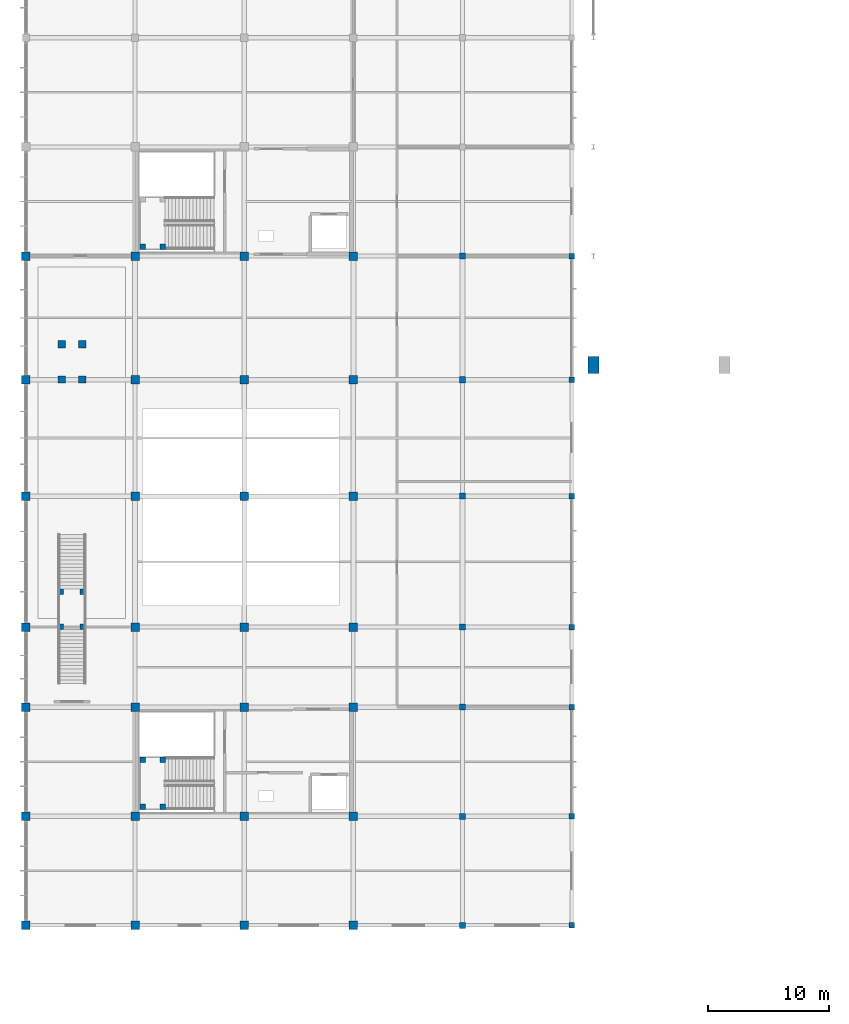
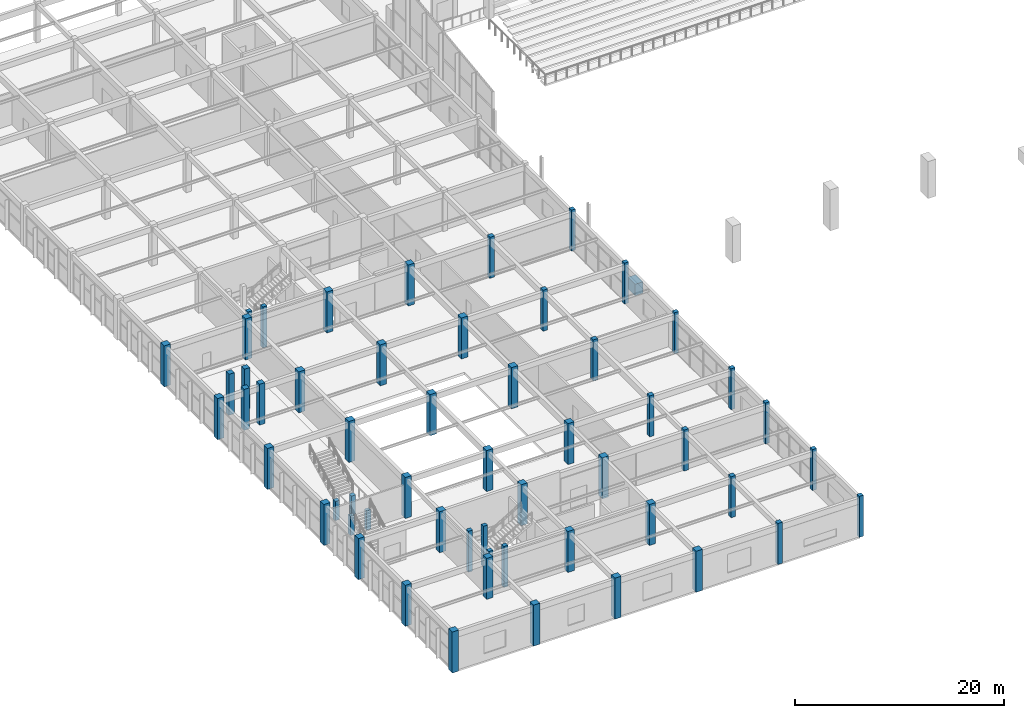
# One storey, part 1 of 74: 57 columns.
"""IFC4 building model written with IfcOpenShell, lengths in metres."""

import ifcopenshell
import ifcopenshell.guid

model = None  # the IFC model being written
_history = None  # IfcOwnerHistory: only IFC2X3 demands one
_inside = {}  # id of a spatial element -> (the spatial element, [elements in it])
_under = {}  # id of a project, library or spatial element -> (it, [spatial elements below it])
_declared = {}  # id of a project -> (the project, [libraries it declares])
_typed = {}  # id of a type object -> (the type object, [elements of that type])
_made_of = {}  # id of a material, layer set ... -> (it, [elements and type objects made of it])


def new_model(schema):
    """Start an empty IFC model of exactly this schema.

    Asked for "IFC4X3", IfcOpenShell would pick the latest addendum, in which some entities
    have other attributes; the version numbers below select the first issue.
    IFC2X3 requires an IfcOwnerHistory on every rooted entity: one is made here for all.
    """
    global model, _history
    if schema == "IFC4X3":
        model = ifcopenshell.file(schema_version=(4, 3, 0, 0))
    else:
        model = ifcopenshell.file(schema=schema)
    _inside.clear()
    _under.clear()
    _declared.clear()
    _typed.clear()
    _made_of.clear()
    _history = None
    if model.schema == "IFC2X3":
        org = make("IfcOrganization", Name="unknown")
        user = make(
            "IfcPersonAndOrganization",
            ThePerson=make("IfcPerson", FamilyName="unknown"),
            TheOrganization=org,
        )
        app = make(
            "IfcApplication",
            ApplicationDeveloper=org,
            Version="unknown",
            ApplicationFullName="unknown",
            ApplicationIdentifier="unknown",
        )
        _history = make(
            "IfcOwnerHistory",
            OwningUser=user,
            OwningApplication=app,
            ChangeAction="ADDED",
            CreationDate=0,
        )
    return model


def make(cls, **values):
    """One entity of the class cls with the attributes given. An attribute that is None is left unset."""
    return model.create_entity(
        cls, **{name: value for name, value in values.items() if value is not None}
    )


def rooted(cls, **values):
    """An entity with a GlobalId (a new one), such as an element, a storey or a relation."""
    return make(cls, GlobalId=ifcopenshell.guid.new(), OwnerHistory=_history, **values)


def si_unit(unit_type, name, prefix=None):
    """IfcSIUnit, for example si_unit("LENGTHUNIT", "METRE", prefix="MILLI")."""
    return make("IfcSIUnit", UnitType=unit_type, Prefix=prefix, Name=name)


def assignment(units):
    """IfcUnitAssignment: the units of a project."""
    return None if units is None else make("IfcUnitAssignment", Units=units)


def point(xyz):
    """IfcCartesianPoint."""
    return None if xyz is None else make("IfcCartesianPoint", Coordinates=xyz)


def direction(xyz):
    """IfcDirection."""
    return None if xyz is None else make("IfcDirection", DirectionRatios=xyz)


def frame(location, z_axis=None, x_axis=None):
    """IfcAxis2Placement3D, a coordinate frame: its origin and axes. An axis left out is left unset."""
    return make(
        "IfcAxis2Placement3D",
        Location=point(location),
        Axis=direction(z_axis),
        RefDirection=direction(x_axis),
    )


def frame_2d(location, x_axis=None):
    """IfcAxis2Placement2D, a coordinate frame in the plane: its origin and x axis."""
    return make(
        "IfcAxis2Placement2D", Location=point(location), RefDirection=direction(x_axis)
    )


def origin():
    """The frame at (0, 0, 0) with its axes left unset."""
    return frame((0.0, 0.0, 0.0))


def origin_2d():
    """The frame at (0, 0) in the plane with its x axis left unset."""
    return frame_2d((0.0, 0.0))


def place(relative_to, where):
    """IfcLocalPlacement: puts the frame where relative to a parent placement (None: the world)."""
    return make(
        "IfcLocalPlacement", PlacementRelTo=relative_to, RelativePlacement=where
    )


def context(
    kind, dimensions, precision=None, world=None, true_north=None, identifier=None
):
    """IfcGeometricRepresentationContext, for example the 3D "Model" context."""
    return make(
        "IfcGeometricRepresentationContext",
        ContextIdentifier=identifier,
        ContextType=kind,
        CoordinateSpaceDimension=dimensions,
        Precision=precision,
        WorldCoordinateSystem=world,
        TrueNorth=true_north,
    )


def subcontext(parent, identifier, kind, view, scale=None):
    """IfcGeometricRepresentationSubContext, for example "Body" below "Model"."""
    return make(
        "IfcGeometricRepresentationSubContext",
        ContextIdentifier=identifier,
        ContextType=kind,
        ParentContext=parent,
        TargetScale=scale,
        TargetView=view,
    )


def project(units=None, contexts=None):
    """IfcProject with its units and contexts."""
    return rooted(
        "IfcProject",
        Name="project",
        RepresentationContexts=contexts,
        UnitsInContext=assignment(units),
    )


def spatial(cls, under=None, at=None, **own):
    """A site, building, storey or space (cls), placed at a placement, below another one or the project."""
    s = rooted(cls, ObjectPlacement=at, **own)
    if under is not None:
        _under.setdefault(under.id(), (under, []))[1].append(s)
    return s


def profile(cls, at=None, kind="AREA", **sizes):
    """A parametric profile (cls). Its sizes go by their IFC names, for example OverallWidth=200.0."""
    return make(cls, ProfileType=kind, Position=at, **sizes)


def rectangle(**sizes):
    """IfcRectangleProfileDef."""
    return profile("IfcRectangleProfileDef", **sizes)


def extrude(swept, where, along, depth):
    """IfcExtrudedAreaSolid: the profile swept, set in the frame where, extruded along a direction by depth."""
    return make(
        "IfcExtrudedAreaSolid",
        SweptArea=swept,
        Position=where,
        ExtrudedDirection=direction(along),
        Depth=depth,
    )


def shape(context_of_items, identifier, shape_type, items):
    """IfcShapeRepresentation: the items that make up one representation, for example the "Body"."""
    return make(
        "IfcShapeRepresentation",
        ContextOfItems=context_of_items,
        RepresentationIdentifier=identifier,
        RepresentationType=shape_type,
        Items=items,
    )


def material(Name=None, Category=None):
    """IfcMaterial."""
    return make("IfcMaterial", Name=Name, Category=Category)


def material_profile(
    of_material, cross_section, Name=None, Category=None, Priority=None
):
    """IfcMaterialProfile: a cross section and its material."""
    return make(
        "IfcMaterialProfile",
        Name=Name,
        Material=of_material,
        Profile=cross_section,
        Priority=Priority,
        Category=Category,
    )


def profile_set(profiles, Name=None, composite=None):
    """IfcMaterialProfileSet."""
    return make(
        "IfcMaterialProfileSet",
        Name=Name,
        MaterialProfiles=profiles,
        CompositeProfile=composite,
    )


def made_of(thing, what):
    """Note that an element or type object is made of a material, layer set ...; save() writes the relation."""
    if what is not None:
        _made_of.setdefault(what.id(), (what, []))[1].append(thing)
    return thing


def type_object(cls, material=None, **own):
    """A type object (cls), such as IfcWallType, which elements share."""
    return made_of(rooted(cls, **own), material)


def element(
    cls,
    number,
    at=None,
    inside=None,
    cuts=None,
    type_object=None,
    material=None,
    context=None,
    identifier="Body",
    shape_type=None,
    held_by="IfcProductDefinitionShape",
    body=None,
    shapes=None,
    **own,
):
    """One element of the class cls, such as IfcWall. Its Tag is "e" and its number.

    at: its placement. inside: the storey or other place that contains it. cuts: it is an
    opening in that element (IfcRelVoidsElement). A single representation is given by context,
    identifier, shape_type and body (its items); several are given by shapes. held_by: the class
    of the entity that holds the representations. save() writes the other relations.
    """
    e = rooted(cls, Tag="e%d" % number, ObjectPlacement=at, **own)
    if body is not None:
        shapes = [shape(context, identifier, shape_type, body)]
    if shapes is not None:
        e.Representation = make(held_by, Representations=shapes)
    if inside is not None:
        _inside.setdefault(inside.id(), (inside, []))[1].append(e)
    if cuts is not None:
        rooted(
            "IfcRelVoidsElement", RelatingBuildingElement=cuts, RelatedOpeningElement=e
        )
    if type_object is not None:
        _typed.setdefault(type_object.id(), (type_object, []))[1].append(e)
    return made_of(e, material)


def aggregate(whole, parts):
    """IfcRelAggregates: a whole, such as a stair, and the parts it consists of."""
    return rooted("IfcRelAggregates", RelatingObject=whole, RelatedObjects=parts)


def save(model, path):
    """Write the relations noted so far, then the file.

    IfcRelAggregates (storeys below a building ...), IfcRelContainedInSpatialStructure (elements
    in a storey), IfcRelDefinesByType, IfcRelAssociatesMaterial and IfcRelDeclares: one each for
    every whole, place, type object, material and project.
    """
    for whole, parts in _under.values():
        aggregate(whole, parts)
    for where, things in _inside.values():
        rooted(
            "IfcRelContainedInSpatialStructure",
            RelatedElements=things,
            RelatingStructure=where,
        )
    for kind, things in _typed.values():
        rooted("IfcRelDefinesByType", RelatedObjects=things, RelatingType=kind)
    for what, things in _made_of.values():
        rooted("IfcRelAssociatesMaterial", RelatedObjects=things, RelatingMaterial=what)
    for by, libraries in _declared.values():
        rooted("IfcRelDeclares", RelatingContext=by, RelatedDefinitions=libraries)
    model.write(path)


model = new_model("IFC4")

# Units and contexts
model_context = context("Model", 3, precision=1e-05, world=origin(), true_north=direction((0.0, 1.0)))
body_context = subcontext(model_context, "Body", "Model", "MODEL_VIEW")
ifc_project = project(units=[si_unit("LENGTHUNIT", "METRE"), si_unit("AREAUNIT", "SQUARE_METRE"), si_unit("VOLUMEUNIT", "CUBIC_METRE"), si_unit("PLANEANGLEUNIT", "RADIAN"), si_unit("MASSUNIT", "GRAM", prefix="KILO")], contexts=[model_context])

# Site, building, storey
site_placement = place(None, origin())
site = spatial("IfcSite", under=ifc_project, at=site_placement, CompositionType="ELEMENT")
building_placement = place(site_placement, origin())
building = spatial("IfcBuilding", under=site, at=building_placement, Name="Suirenkawa Promenade Aquatics Centre", CompositionType="ELEMENT")
storey_placement = place(building_placement, frame((0.0, 0.0, 4.800048828125)))
storey = spatial("IfcBuildingStorey", under=building, at=storey_placement, Name="L01", CompositionType="ELEMENT", Elevation=4.800048828125)

# Columns
ifc_material = material(Name="Concrete M40", Category="concrete")
ifc_material_profile_1 = material_profile(ifc_material, rectangle(XDim=0.89990234375, YDim=1.39990234375, at=origin_2d()), Name="RC PIER 900x1400", Category="concrete")
ifc_profile_set_1 = profile_set([ifc_material_profile_1], Name="Concrete M40")
column_type_1 = type_object("IfcColumnType", Name="CT-PIER-900x1400", PredefinedType="COLUMN", material=ifc_profile_set_1)
column_placement = place(storey_placement, frame((46.800048828125, 50.39990234375, 0.0), z_axis=(0.0, 0.0, 1.0), x_axis=(1.0, 0.0, 0.0)))
element("IfcColumn", 1, at=column_placement, inside=storey, type_object=column_type_1, Name="Column CL-09 COL-0102", PredefinedType="COLUMN", context=body_context, shape_type="SweptSolid", body=[
    extrude(rectangle(XDim=0.89990234375, YDim=1.39990234375, at=origin_2d()), origin(), (0.0, 0.0, 1.0), 1.324951171875),
])
ifc_material_profile_2 = material_profile(ifc_material, rectangle(XDim=0.449951171875, YDim=0.449951171875, at=origin_2d()), Name="RC COL 450x450", Category="concrete")
ifc_profile_set_2 = profile_set([ifc_material_profile_2], Name="Concrete M40")
column_type_2 = type_object("IfcColumnType", Name="CT-RC-450", PredefinedType="COLUMN", material=ifc_profile_set_2)
for number, where, z_axis, x_axis, name in (
    (2, (45.0, 4.199951171875, 0.0), (0.0, 0.0, 1.0), (1.0, 0.0, 0.0), "Column CL-01 COL-0718"),
    (3, (45.0, 13.199951171875, 0.0), (0.0, 0.0, 1.0), (1.0, 0.0, 0.0), "Column CL-01 COL-0721"),
    (4, (45.0, 22.199951171875, 0.0), (0.0, 0.0, 1.0), (1.0, 0.0, 0.0), "Column CL-01 COL-0724"),
    (5, (45.0, 28.800048828125, 0.0), (0.0, 0.0, 1.0), (1.0, 0.0, 0.0), "Column CL-01 COL-0727"),
    (6, (45.0, 39.60009765625, 0.0), (0.0, 0.0, 1.0), (1.0, 0.0, 0.0), "Column CL-01 COL-0730"),
    (7, (45.0, 49.199951171875, 0.0), (0.0, 0.0, 1.0), (1.0, 0.0, 0.0), "Column CL-01 COL-0733"),
    (8, (45.0, 59.39990234375, 0.0), (0.0, 0.0, 1.0), (1.0, 0.0, 0.0), "Column CL-01 COL-0736"),
):
    element("IfcColumn", number, at=place(storey_placement, frame(where, z_axis=z_axis, x_axis=x_axis)), inside=storey, type_object=column_type_2, Name=name, PredefinedType="COLUMN", context=body_context, shape_type="SweptSolid", body=[
        extrude(rectangle(XDim=0.449951171875, YDim=0.449951171875, at=origin_2d()), origin(), (0.0, 0.0, 1.0), 4.800048828125),
    ])
for number, where, z_axis, x_axis, name in (
    (9, (2.89501953125, 28.824951171875, 0.0), (0.0, 0.0, 1.0), (1.0, 0.0, 0.0), "Column CL-01 COL-0898"),
    (10, (2.89501953125, 31.72509765625, 0.0), (0.0, 0.0, 1.0), (1.0, 0.0, 0.0), "Column CL-01 COL-0901"),
    (11, (4.705078125, 28.824951171875, 0.0), (0.0, 0.0, 1.0), (1.0, 0.0, 0.0), "Column CL-01 COL-0904"),
    (12, (4.705078125, 31.72509765625, 0.0), (0.0, 0.0, 1.0), (1.0, 0.0, 0.0), "Column CL-01 COL-0907"),
):
    element("IfcColumn", number, at=place(storey_placement, frame(where, z_axis=z_axis, x_axis=x_axis)), inside=storey, type_object=column_type_2, Name=name, PredefinedType="COLUMN", context=body_context, shape_type="SweptSolid", body=[
        extrude(rectangle(XDim=0.449951171875, YDim=0.449951171875, at=origin_2d()), origin(), (0.0, 0.0, 1.0), 2.239990234375),
    ])
for number, where, z_axis, x_axis, name in (
    (13, (9.64990234375, 13.969970703125, 0.0), (0.0, 0.0, 1.0), (1.0, 0.0, 0.0), "Core stair landing column CL-01 COL-CR-C1-L01-1"),
    (14, (11.300048828125, 13.969970703125, 0.0), (0.0, 0.0, 1.0), (1.0, 0.0, 0.0), "Core stair landing column CL-01 COL-CR-C1-L01-2"),
    (15, (9.64990234375, 17.860107421875, 0.0), (0.0, 0.0, 1.0), (1.0, 0.0, 0.0), "Core stair landing column CL-01 COL-CR-C1-L01-3"),
    (16, (11.300048828125, 17.860107421875, 0.0), (0.0, 0.0, 1.0), (1.0, 0.0, 0.0), "Core stair landing column CL-01 COL-CR-C1-L01-4"),
    (17, (9.64990234375, 60.169921875, 0.0), (0.0, 0.0, 1.0), (1.0, 0.0, 0.0), "Core stair landing column CL-01 COL-CR-C2-L01-1"),
    (18, (11.300048828125, 60.169921875, 0.0), (0.0, 0.0, 1.0), (1.0, 0.0, 0.0), "Core stair landing column CL-01 COL-CR-C2-L01-2"),
):
    element("IfcColumn", number, at=place(storey_placement, frame(where, z_axis=z_axis, x_axis=x_axis)), inside=storey, type_object=column_type_2, Name=name, PredefinedType="COLUMN", context=body_context, shape_type="SweptSolid", body=[
        extrude(rectangle(XDim=0.449951171875, YDim=0.449951171875, at=origin_2d()), origin(), (0.0, 0.0, 1.0), 4.800048828125),
    ])
ifc_material_profile_3 = material_profile(ifc_material, rectangle(XDim=0.5, YDim=0.5, at=origin_2d()), Name="RC COL 500x500", Category="concrete")
ifc_profile_set_3 = profile_set([ifc_material_profile_3], Name="Concrete M40")
column_type_3 = type_object("IfcColumnType", Name="CT-RC-500", PredefinedType="COLUMN", material=ifc_profile_set_3)
for number, where, z_axis, x_axis, name in (
    (19, (36.0, 4.199951171875, 0.0), (0.0, 0.0, 1.0), (1.0, 0.0, 0.0), "Column CL-02 COL-0526"),
    (20, (36.0, 13.199951171875, 0.0), (0.0, 0.0, 1.0), (1.0, 0.0, 0.0), "Column CL-02 COL-0530"),
    (21, (36.0, 22.199951171875, 0.0), (0.0, 0.0, 1.0), (1.0, 0.0, 0.0), "Column CL-02 COL-0534"),
    (22, (36.0, 28.800048828125, 0.0), (0.0, 0.0, 1.0), (1.0, 0.0, 0.0), "Column CL-02 COL-0538"),
    (23, (36.0, 39.60009765625, 0.0), (0.0, 0.0, 1.0), (1.0, 0.0, 0.0), "Column CL-02 COL-0542"),
    (24, (36.0, 49.199951171875, 0.0), (0.0, 0.0, 1.0), (1.0, 0.0, 0.0), "Column CL-02 COL-0546"),
    (25, (36.0, 59.39990234375, 0.0), (0.0, 0.0, 1.0), (1.0, 0.0, 0.0), "Column CL-02 COL-0550"),
):
    element("IfcColumn", number, at=place(storey_placement, frame(where, z_axis=z_axis, x_axis=x_axis)), inside=storey, type_object=column_type_3, Name=name, PredefinedType="COLUMN", context=body_context, shape_type="SweptSolid", body=[
        extrude(rectangle(XDim=0.5, YDim=0.5, at=origin_2d()), origin(), (0.0, 0.0, 1.0), 4.800048828125),
    ])
ifc_material_profile_4 = material_profile(ifc_material, rectangle(XDim=0.60009765625, YDim=0.60009765625, at=origin_2d()), Name="RC COL 600x600", Category="concrete")
ifc_profile_set_4 = profile_set([ifc_material_profile_4], Name="Concrete M40")
column_type_4 = type_object("IfcColumnType", Name="CT-RC-600", PredefinedType="COLUMN", material=ifc_profile_set_4)
for number, where, z_axis, x_axis, name in (
    (26, (2.945068359375, 49.22509765625, 0.0), (0.0, 0.0, 1.0), (1.0, 0.0, 0.0), "Column CL-03 COL-0434"),
    (27, (2.945068359375, 52.125, 0.0), (0.0, 0.0, 1.0), (1.0, 0.0, 0.0), "Column CL-03 COL-0439"),
    (28, (4.655029296875, 49.22509765625, 0.0), (0.0, 0.0, 1.0), (1.0, 0.0, 0.0), "Column CL-03 COL-0444"),
    (29, (4.655029296875, 52.125, 0.0), (0.0, 0.0, 1.0), (1.0, 0.0, 0.0), "Column CL-03 COL-0449"),
):
    element("IfcColumn", number, at=place(storey_placement, frame(where, z_axis=z_axis, x_axis=x_axis)), inside=storey, type_object=column_type_4, Name=name, PredefinedType="COLUMN", context=body_context, shape_type="SweptSolid", body=[
        extrude(rectangle(XDim=0.60009765625, YDim=0.60009765625, at=origin_2d()), origin(), (0.0, 0.0, 1.0), 4.800048828125),
    ])
ifc_material_profile_5 = material_profile(ifc_material, rectangle(XDim=0.699951171875, YDim=0.699951171875, at=origin_2d()), Name="RC COL 700x700", Category="concrete")
ifc_profile_set_5 = profile_set([ifc_material_profile_5], Name="Concrete M40")
column_type_5 = type_object("IfcColumnType", Name="CT-RC-700", PredefinedType="COLUMN", material=ifc_profile_set_5)
for number, where, z_axis, x_axis, name in (
    (30, (0.0, 4.199951171875, 0.0), (0.0, 0.0, 1.0), (1.0, 0.0, 0.0), "Column CL-04 COL-0162"),
    (31, (0.0, 13.199951171875, 0.0), (0.0, 0.0, 1.0), (1.0, 0.0, 0.0), "Column CL-04 COL-0168"),
    (32, (0.0, 22.199951171875, 0.0), (0.0, 0.0, 1.0), (1.0, 0.0, 0.0), "Column CL-04 COL-0174"),
    (33, (0.0, 28.800048828125, 0.0), (0.0, 0.0, 1.0), (1.0, 0.0, 0.0), "Column CL-04 COL-0180"),
    (34, (0.0, 39.60009765625, 0.0), (0.0, 0.0, 1.0), (1.0, 0.0, 0.0), "Column CL-04 COL-0186"),
    (35, (0.0, 49.199951171875, 0.0), (0.0, 0.0, 1.0), (1.0, 0.0, 0.0), "Column CL-04 COL-0192"),
    (36, (0.0, 59.39990234375, 0.0), (0.0, 0.0, 1.0), (1.0, 0.0, 0.0), "Column CL-04 COL-0198"),
    (37, (9.0, 4.199951171875, 0.0), (0.0, 0.0, 1.0), (1.0, 0.0, 0.0), "Column CL-04 COL-0210"),
    (38, (9.0, 13.199951171875, 0.0), (0.0, 0.0, 1.0), (1.0, 0.0, 0.0), "Column CL-04 COL-0216"),
    (39, (9.0, 22.199951171875, 0.0), (0.0, 0.0, 1.0), (1.0, 0.0, 0.0), "Column CL-04 COL-0222"),
    (40, (9.0, 28.800048828125, 0.0), (0.0, 0.0, 1.0), (1.0, 0.0, 0.0), "Column CL-04 COL-0228"),
    (41, (9.0, 39.60009765625, 0.0), (0.0, 0.0, 1.0), (1.0, 0.0, 0.0), "Column CL-04 COL-0234"),
    (42, (9.0, 49.199951171875, 0.0), (0.0, 0.0, 1.0), (1.0, 0.0, 0.0), "Column CL-04 COL-0240"),
    (43, (9.0, 59.39990234375, 0.0), (0.0, 0.0, 1.0), (1.0, 0.0, 0.0), "Column CL-04 COL-0246"),
    (44, (18.0, 4.199951171875, 0.0), (0.0, 0.0, 1.0), (1.0, 0.0, 0.0), "Column CL-04 COL-0258"),
    (45, (18.0, 13.199951171875, 0.0), (0.0, 0.0, 1.0), (1.0, 0.0, 0.0), "Column CL-04 COL-0264"),
    (46, (18.0, 22.199951171875, 0.0), (0.0, 0.0, 1.0), (1.0, 0.0, 0.0), "Column CL-04 COL-0270"),
    (47, (18.0, 28.800048828125, 0.0), (0.0, 0.0, 1.0), (1.0, 0.0, 0.0), "Column CL-04 COL-0276"),
    (48, (18.0, 39.60009765625, 0.0), (0.0, 0.0, 1.0), (1.0, 0.0, 0.0), "Column CL-04 COL-0282"),
    (49, (18.0, 49.199951171875, 0.0), (0.0, 0.0, 1.0), (1.0, 0.0, 0.0), "Column CL-04 COL-0288"),
    (50, (18.0, 59.39990234375, 0.0), (0.0, 0.0, 1.0), (1.0, 0.0, 0.0), "Column CL-04 COL-0294"),
    (51, (27.0, 4.199951171875, 0.0), (0.0, 0.0, 1.0), (1.0, 0.0, 0.0), "Column CL-04 COL-0306"),
    (52, (27.0, 13.199951171875, 0.0), (0.0, 0.0, 1.0), (1.0, 0.0, 0.0), "Column CL-04 COL-0312"),
    (53, (27.0, 22.199951171875, 0.0), (0.0, 0.0, 1.0), (1.0, 0.0, 0.0), "Column CL-04 COL-0318"),
    (54, (27.0, 28.800048828125, 0.0), (0.0, 0.0, 1.0), (1.0, 0.0, 0.0), "Column CL-04 COL-0324"),
    (55, (27.0, 39.60009765625, 0.0), (0.0, 0.0, 1.0), (1.0, 0.0, 0.0), "Column CL-04 COL-0330"),
    (56, (27.0, 49.199951171875, 0.0), (0.0, 0.0, 1.0), (1.0, 0.0, 0.0), "Column CL-04 COL-0336"),
    (57, (27.0, 59.39990234375, 0.0), (0.0, 0.0, 1.0), (1.0, 0.0, 0.0), "Column CL-04 COL-0342"),
):
    element("IfcColumn", number, at=place(storey_placement, frame(where, z_axis=z_axis, x_axis=x_axis)), inside=storey, type_object=column_type_5, Name=name, PredefinedType="COLUMN", context=body_context, shape_type="SweptSolid", body=[
        extrude(rectangle(XDim=0.699951171875, YDim=0.699951171875, at=origin_2d()), origin(), (0.0, 0.0, 1.0), 4.800048828125),
    ])

save(model, "model.ifc")
